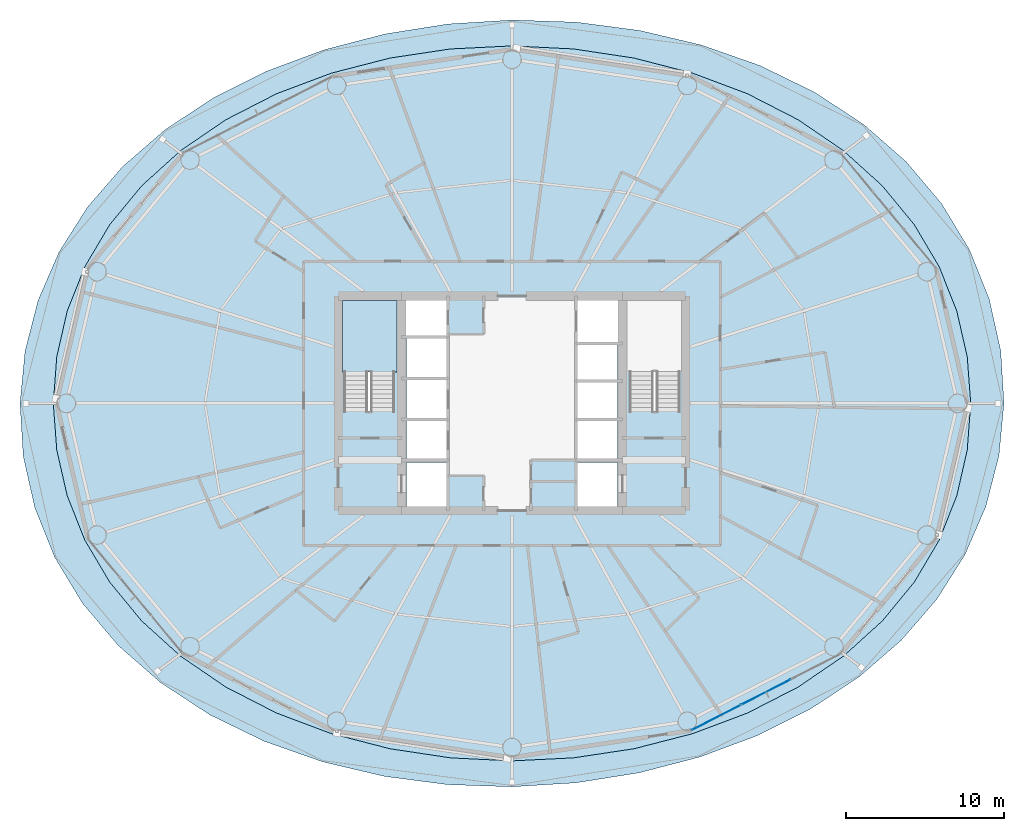
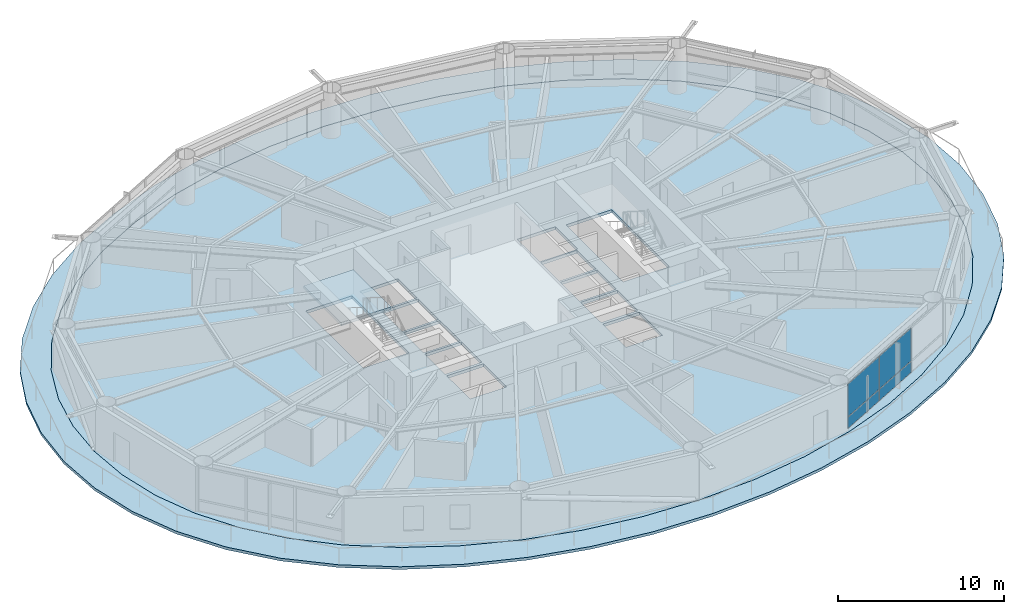
# One storey, part 15 of 24: 4 plates, 3 slabs, 2 elements without a shape of their own.
"""IFC4 building model written with IfcOpenShell, lengths in metres."""

from ifc_helpers import new_model, si_unit, direction, frame, origin, origin_2d, place, context, subcontext, project, spatial, polyline, rectangle, outline, extrude, material, layer, layer_set, type_object, element, aggregate, save


model = new_model("IFC4")

# Units and contexts
model_context = context("Model", 3, precision=1e-05, world=origin(), true_north=direction((0.0, 1.0)))
body_context = subcontext(model_context, "Body", "Model", "MODEL_VIEW")
ifc_project = project(units=[si_unit("LENGTHUNIT", "METRE"), si_unit("AREAUNIT", "SQUARE_METRE"), si_unit("VOLUMEUNIT", "CUBIC_METRE"), si_unit("PLANEANGLEUNIT", "RADIAN"), si_unit("MASSUNIT", "GRAM", prefix="KILO")], contexts=[model_context])

# Site, building, storey
site_placement = place(None, origin())
site = spatial("IfcSite", under=ifc_project, at=site_placement, CompositionType="ELEMENT")
building_placement = place(site_placement, origin())
building = spatial("IfcBuilding", under=site, at=building_placement, Name="Sarneth Arch Tower", CompositionType="ELEMENT")
storey_placement = place(building_placement, frame((0.0, 0.0, 109.199951171875)))
storey = spatial("IfcBuildingStorey", under=building, at=storey_placement, Name="L27", CompositionType="ELEMENT", Elevation=109.199951171875)

# Curtain wall, plates
ifc_material_1 = material(Name="Anodised aluminium Type AA25 and solar-control low-e laminated IGU", Category="aluminium")
ifc_layer_1 = layer(ifc_material_1, 0.159912109375)
ifc_layer_set_1 = layer_set([ifc_layer_1], Name="Anodised aluminium Type AA25 and solar-control low-e laminated IGU")
curtain_wall_type = type_object("IfcCurtainWallType", Name="CW-HOTEL-MID", PredefinedType="NOTDEFINED", material=ifc_layer_set_1)
curtain_wall_placement = place(storey_placement, origin())
curtain_wall = element("IfcCurtainWall", 1, at=curtain_wall_placement, inside=storey, type_object=curtain_wall_type, Name="L27 Unitised curtain wall facet 14", PredefinedType="NOTDEFINED")
ifc_material_2 = material(Name="Solar-control low-e laminated IGU", Category="glass")
ifc_layer_2 = layer(ifc_material_2, 0.028076171875)
ifc_layer_set_2 = layer_set([ifc_layer_2], Name="Solar-control low-e laminated IGU")
plate_type = type_object("IfcPlateType", Name="CW-PANEL", PredefinedType="CURTAIN_PANEL", material=ifc_layer_set_2)
plate_1_placement = place(storey_placement, frame((60.946044921875, 22.094482421875, 0.06005859375), z_axis=(0.0, 0.0, 1.0), x_axis=(0.889963703649, 0.456031365356, 0.0)))
plate_1 = element("IfcPlate", 2, at=plate_1_placement, type_object=plate_type, Name="Curtain wall glazed vision pane CW-L27-F14/P00-00", PredefinedType="CURTAIN_PANEL", context=body_context, shape_type="SweptSolid", body=[
    extrude(rectangle(XDim=3.464111328125, YDim=0.028076171875, at=origin_2d()), origin(), (0.0, 0.0, 1.0), 0.81005859375),
])
plate_2_placement = place(storey_placement, frame((60.946044921875, 22.094482421875, 0.93017578125), z_axis=(0.0, 0.0, 1.0), x_axis=(0.889963703649, 0.456031365356, 0.0)))
plate_2 = element("IfcPlate", 3, at=plate_2_placement, type_object=plate_type, Name="Curtain wall glazed vision pane CW-L27-F14/P00-01", PredefinedType="CURTAIN_PANEL", context=body_context, shape_type="SweptSolid", body=[
    extrude(rectangle(XDim=3.464111328125, YDim=0.028076171875, at=origin_2d()), origin(), (0.0, 0.0, 1.0), 2.389892578125),
])
plate_3_placement = place(storey_placement, frame((64.095703125, 23.70849609375, 0.06005859375), z_axis=(0.0, 0.0, 1.0), x_axis=(0.889963703649, 0.456031365356, 0.0)))
plate_3 = element("IfcPlate", 4, at=plate_3_placement, type_object=plate_type, Name="Curtain wall glazed vision pane CW-L27-F14/P01-00", PredefinedType="CURTAIN_PANEL", context=body_context, shape_type="SweptSolid", body=[
    extrude(rectangle(XDim=3.493896484375, YDim=0.028076171875, at=origin_2d()), origin(), (0.0, 0.0, 1.0), 0.81005859375),
])
plate_4_placement = place(storey_placement, frame((64.095703125, 23.70849609375, 0.93017578125), z_axis=(0.0, 0.0, 1.0), x_axis=(0.889963703649, 0.456031365356, 0.0)))
plate_4 = element("IfcPlate", 5, at=plate_4_placement, type_object=plate_type, Name="Curtain wall glazed vision pane CW-L27-F14/P01-01", PredefinedType="CURTAIN_PANEL", context=body_context, shape_type="SweptSolid", body=[
    extrude(rectangle(XDim=3.493896484375, YDim=0.028076171875, at=origin_2d()), origin(), (0.0, 0.0, 1.0), 2.389892578125),
])
aggregate(curtain_wall, [plate_1, plate_2, plate_3, plate_4])

# Slab
ifc_material_3 = material(Name="Concrete C50/60", Category="concrete")
ifc_layer_3 = layer(ifc_material_3, 0.199951171875)
ifc_layer_set_3 = layer_set([ifc_layer_3], Name="Concrete C50/60")
slab_type_1 = type_object("IfcSlabType", Name="SLAB-BALC-200", PredefinedType="FLOOR", material=ifc_layer_set_3)
slab_1_placement = place(storey_placement, frame((0.0, 0.0, -0.199951171875)))
element("IfcSlab", 6, at=slab_1_placement, inside=storey, type_object=slab_type_1, Name="L27 Helical balcony band slab", PredefinedType="FLOOR", context=body_context, shape_type="SweptSolid", body=[
    extrude(outline(polyline([(79.171630859375, 42.0), (78.9677734375, 45.336181640625), (78.236328125, 48.60888671875), (76.9814453125, 51.739990234375), (75.2158203125, 54.664306640625), (72.962646484375, 57.329345703125), (70.25732421875, 59.69482421875), (67.150390625, 61.728515625), (63.70556640625, 63.406005859375), (59.99462890625, 64.70947265625), (56.0927734375, 65.6279296875), (52.072265625, 66.155517578125), (48.0, 66.291259765625), (43.939453125, 66.0390625), (39.9521484375, 65.40673828125), (36.100830078125, 64.40478515625), (32.450927734375, 63.047607421875), (29.068115234375, 61.35107421875), (26.01416015625, 59.333984375), (23.342041015625, 57.017333984375), (21.09326171875, 54.4248046875), (19.29736328125, 51.58447265625), (17.975830078125, 48.531982421875), (17.147216796875, 45.315673828125), (16.828369140625, 42.0), (17.0322265625, 38.663818359375), (17.763671875, 35.39111328125), (19.0185546875, 32.260009765625), (20.7841796875, 29.335693359375), (23.037353515625, 26.670654296875), (25.74267578125, 24.30517578125), (28.849609375, 22.271484375), (32.29443359375, 20.593994140625), (36.00537109375, 19.29052734375), (39.9072265625, 18.3720703125), (43.927734375, 17.844482421875), (48.0, 17.708740234375), (52.060546875, 17.9609375), (56.0478515625, 18.59326171875), (59.899169921875, 19.59521484375), (63.549072265625, 20.952392578125), (66.931884765625, 22.64892578125), (69.98583984375, 24.666015625), (72.657958984375, 26.982666015625), (74.90673828125, 29.5751953125), (76.70263671875, 32.41552734375), (78.024169921875, 35.468017578125), (78.852783203125, 38.684326171875), (79.171630859375, 42.0)]), holes=[polyline([(77.062744140625, 42.0), (76.84228515625, 44.956298828125), (76.17724609375, 47.8623046875), (75.060546875, 50.667724609375), (73.486328125, 53.324951171875), (71.458251953125, 55.788330078125), (68.994384765625, 58.015869140625), (66.132080078125, 59.969482421875), (62.923828125, 61.615478515625), (59.435302734375, 62.92578125), (55.73779296875, 63.878173828125), (51.902587890625, 64.456298828125), (48.0, 64.64990234375), (44.097412109375, 64.456298828125), (40.26220703125, 63.878173828125), (36.564697265625, 62.92578125), (33.076171875, 61.615478515625), (29.867919921875, 59.969482421875), (27.005615234375, 58.015869140625), (24.541748046875, 55.788330078125), (22.513671875, 53.324951171875), (20.939453125, 50.667724609375), (19.82275390625, 47.8623046875), (19.15771484375, 44.956298828125), (18.937255859375, 42.0), (19.15771484375, 39.043701171875), (19.82275390625, 36.1376953125), (20.939453125, 33.332275390625), (22.513671875, 30.675048828125), (24.541748046875, 28.211669921875), (27.005615234375, 25.984130859375), (29.867919921875, 24.030517578125), (33.076171875, 22.384521484375), (36.564697265625, 21.07421875), (40.26220703125, 20.121826171875), (44.097412109375, 19.543701171875), (48.0, 19.35009765625), (51.902587890625, 19.543701171875), (55.73779296875, 20.121826171875), (59.435302734375, 21.07421875), (62.923828125, 22.384521484375), (66.132080078125, 24.030517578125), (68.994384765625, 25.984130859375), (71.458251953125, 28.211669921875), (73.486328125, 30.675048828125), (75.060546875, 33.332275390625), (76.17724609375, 36.1376953125), (76.84228515625, 39.043701171875), (77.062744140625, 42.0)])]), origin(), (0.0, 0.0, 1.0), 0.199951171875),
])

# Stair, slab
ifc_material_4 = material(Name="Concrete C50/60", Category="concrete")
stair_type = type_object("IfcStairType", Name="STAIR-CORE-RC", PredefinedType="HALF_TURN_STAIR", material=ifc_material_4)
stair_placement = place(storey_placement, origin())
stair = element("IfcStair", 7, at=stair_placement, inside=storey, type_object=stair_type, Name="L27 Core Exit Stair 1", PredefinedType="HALF_TURN_STAIR")
ifc_material_5 = material(Name="Concrete C50/60", Category="concrete")
ifc_layer_4 = layer(ifc_material_5, 0.199951171875)
ifc_layer_set_4 = layer_set([ifc_layer_4], Name="Concrete C50/60")
slab_type_2 = type_object("IfcSlabType", Name="SLAB-LANDING-200", PredefinedType="LANDING", material=ifc_layer_set_4)
slab_2_placement = place(storey_placement, frame((0.0, 0.0, 1.60009765625)))
slab_2 = element("IfcSlab", 8, at=slab_2_placement, type_object=slab_type_2, Name="ST-1 landing 1", PredefinedType="LANDING", context=body_context, shape_type="SweptSolid", body=[
    extrude(outline(polyline([(37.27490234375, 43.985107421875), (40.72509765625, 43.985107421875), (40.72509765625, 48.52490234375), (37.27490234375, 48.52490234375), (37.27490234375, 43.985107421875)])), origin(), (0.0, 0.0, 1.0), 0.199951171875),
])
aggregate(stair, [slab_2])

# Slab
ifc_material_6 = material(Name="Concrete C50/60", Category="concrete")
ifc_layer_5 = layer(ifc_material_6, 0.219970703125)
ifc_layer_set_5 = layer_set([ifc_layer_5], Name="Concrete C50/60")
slab_type_3 = type_object("IfcSlabType", Name="SLAB-TOWER-220", PredefinedType="FLOOR", material=ifc_layer_set_5)
slab_3_placement = place(storey_placement, frame((0.0, 0.0, -0.219970703125)))
element("IfcSlab", 9, at=slab_3_placement, inside=storey, type_object=slab_type_3, Name="L27 Elliptical floor slab", PredefinedType="FLOOR", context=body_context, shape_type="SweptSolid", body=[
    extrude(outline(polyline([(77.062744140625, 42.0), (76.84228515625, 44.956298828125), (76.17724609375, 47.8623046875), (75.060546875, 50.667724609375), (73.486328125, 53.324951171875), (71.458251953125, 55.788330078125), (68.994384765625, 58.015869140625), (66.132080078125, 59.969482421875), (62.923828125, 61.615478515625), (59.435302734375, 62.92578125), (55.73779296875, 63.878173828125), (51.902587890625, 64.456298828125), (48.0, 64.64990234375), (44.097412109375, 64.456298828125), (40.26220703125, 63.878173828125), (36.564697265625, 62.92578125), (33.076171875, 61.615478515625), (29.867919921875, 59.969482421875), (27.005615234375, 58.015869140625), (24.541748046875, 55.788330078125), (22.513671875, 53.324951171875), (20.939453125, 50.667724609375), (19.82275390625, 47.8623046875), (19.15771484375, 44.956298828125), (18.937255859375, 42.0), (19.15771484375, 39.043701171875), (19.82275390625, 36.1376953125), (20.939453125, 33.332275390625), (22.513671875, 30.675048828125), (24.541748046875, 28.211669921875), (27.005615234375, 25.984130859375), (29.867919921875, 24.030517578125), (33.076171875, 22.384521484375), (36.564697265625, 21.07421875), (40.26220703125, 20.121826171875), (44.097412109375, 19.543701171875), (48.0, 19.35009765625), (51.902587890625, 19.543701171875), (55.73779296875, 20.121826171875), (59.435302734375, 21.07421875), (62.923828125, 22.384521484375), (66.132080078125, 24.030517578125), (68.994384765625, 25.984130859375), (71.458251953125, 28.211669921875), (73.486328125, 30.675048828125), (75.060546875, 33.332275390625), (76.17724609375, 36.1376953125), (76.84228515625, 39.043701171875), (77.062744140625, 42.0)]), holes=[polyline([(37.35009765625, 41.489990234375), (40.550048828125, 41.489990234375), (40.550048828125, 48.39990234375), (37.35009765625, 48.39990234375), (37.35009765625, 41.489990234375)]), polyline([(55.449951171875, 41.489990234375), (58.64990234375, 41.489990234375), (58.64990234375, 48.39990234375), (55.449951171875, 48.39990234375), (55.449951171875, 41.489990234375)]), polyline([(41.199951171875, 46.25), (43.85009765625, 46.25), (43.85009765625, 48.550048828125), (41.199951171875, 48.550048828125), (41.199951171875, 46.25)]), polyline([(41.300048828125, 35.449951171875), (43.85009765625, 35.449951171875), (43.85009765625, 38.25), (41.300048828125, 38.25), (41.300048828125, 35.449951171875)]), polyline([(52.14990234375, 35.449951171875), (54.699951171875, 35.449951171875), (54.699951171875, 38.25), (52.14990234375, 38.25), (52.14990234375, 35.449951171875)]), polyline([(52.14990234375, 45.85009765625), (54.800048828125, 45.85009765625), (54.800048828125, 48.550048828125), (52.14990234375, 48.550048828125), (52.14990234375, 45.85009765625)]), polyline([(41.300048828125, 38.449951171875), (43.85009765625, 38.449951171875), (43.85009765625, 40.89990234375), (41.300048828125, 40.89990234375), (41.300048828125, 38.449951171875)]), polyline([(41.300048828125, 41.050048828125), (43.85009765625, 41.050048828125), (43.85009765625, 43.5), (41.300048828125, 43.5), (41.300048828125, 41.050048828125)]), polyline([(41.300048828125, 43.64990234375), (43.85009765625, 43.64990234375), (43.85009765625, 46.10009765625), (41.300048828125, 46.10009765625), (41.300048828125, 43.64990234375)]), polyline([(52.14990234375, 38.449951171875), (54.699951171875, 38.449951171875), (54.699951171875, 40.89990234375), (52.14990234375, 40.89990234375), (52.14990234375, 38.449951171875)]), polyline([(52.14990234375, 41.050048828125), (54.699951171875, 41.050048828125), (54.699951171875, 43.35009765625), (52.14990234375, 43.35009765625), (52.14990234375, 41.050048828125)]), polyline([(52.14990234375, 43.5), (54.699951171875, 43.5), (54.699951171875, 45.75), (52.14990234375, 45.75), (52.14990234375, 43.5)])]), origin(), (0.0, 0.0, 1.0), 0.219970703125),
])

save(model, "model.ifc")
